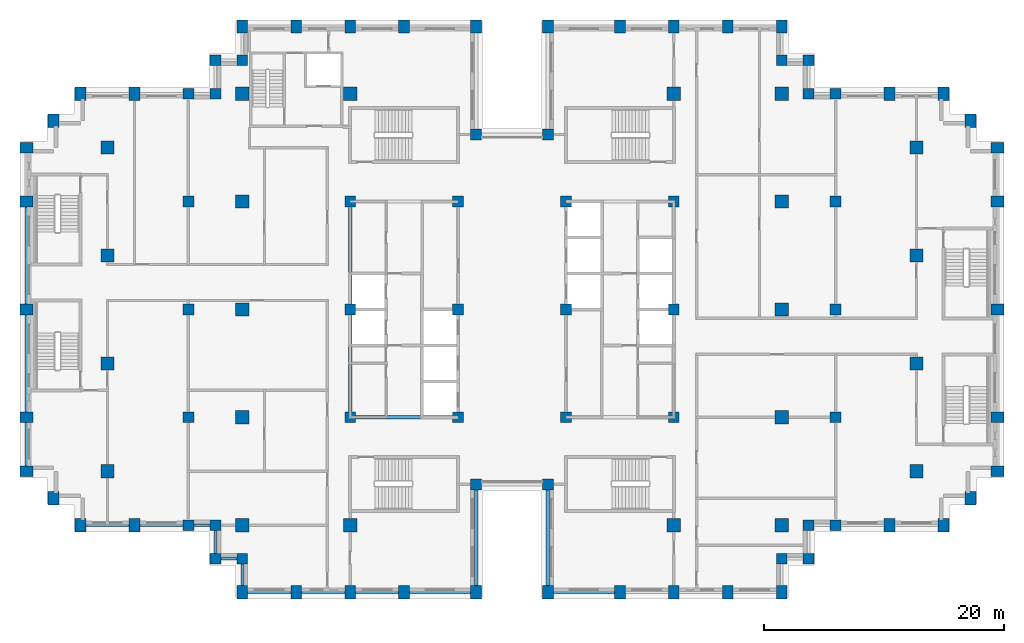
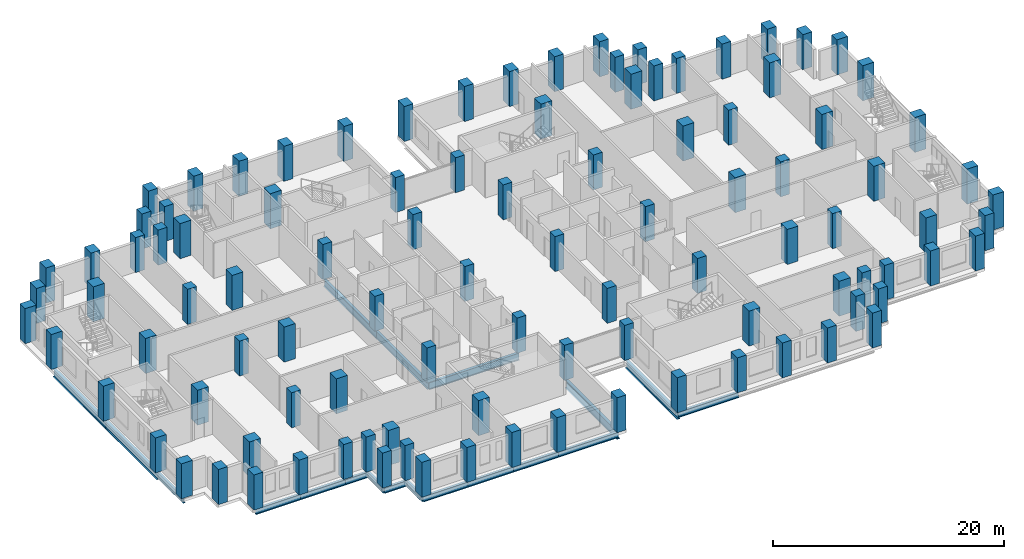
# One storey, part 1 of 15: 102 columns, 19 beams.
"""IFC4 building model written with IfcOpenShell, lengths in metres."""

from ifc_helpers import new_model, si_unit, direction, frame, origin, origin_2d, place, context, subcontext, project, spatial, rectangle, i_section, extrude, material, material_profile, profile_set, type_object, element, save


model = new_model("IFC4")

# Units and contexts
model_context = context("Model", 3, precision=1e-05, world=origin(), true_north=direction((0.0, 1.0)))
body_context = subcontext(model_context, "Body", "Model", "MODEL_VIEW")
ifc_project = project(units=[si_unit("LENGTHUNIT", "METRE"), si_unit("AREAUNIT", "SQUARE_METRE"), si_unit("VOLUMEUNIT", "CUBIC_METRE"), si_unit("PLANEANGLEUNIT", "RADIAN"), si_unit("MASSUNIT", "GRAM", prefix="KILO")], contexts=[model_context])

# Site, building, storey
site_placement = place(None, origin())
site = spatial("IfcSite", under=ifc_project, at=site_placement, CompositionType="ELEMENT")
building_placement = place(site_placement, origin())
building = spatial("IfcBuilding", under=site, at=building_placement, Name="Corbelhall Arena Tower", CompositionType="ELEMENT")
storey_placement = place(building_placement, frame((0.0, 0.0, 162.0)))
storey = spatial("IfcBuildingStorey", under=building, at=storey_placement, Name="L32", CompositionType="ELEMENT", Elevation=162.0)

# Columns
ifc_material_1 = material(Name="Concrete C80/95", Category="concrete")
ifc_material_profile_1 = material_profile(ifc_material_1, rectangle(XDim=1.10009765625, YDim=1.10009765625, at=origin_2d()))
ifc_profile_set_1 = profile_set([ifc_material_profile_1], Name="Concrete C80/95")
column_type_1 = type_object("IfcColumnType", Name="ST-COL-RC 1100x1100", PredefinedType="COLUMN", material=ifc_profile_set_1)
for number, where, z_axis, x_axis, name in (
    (1, (-33.75, 4.5, 0.0), (0.0, 0.0, 1.0), (1.0, 0.0, 0.0), "Column FIC+0450"),
    (2, (-33.75, 13.5, 0.0), (0.0, 0.0, 1.0), (1.0, 0.0, 0.0), "Column FIC+1350"),
    (3, (-33.75, -4.5, 0.0), (0.0, 0.0, 1.0), (1.0, 0.0, 0.0), "Column FIC-0450"),
    (4, (-33.75, -13.5, 0.0), (0.0, 0.0, 1.0), (1.0, 0.0, 0.0), "Column FIC-1350"),
    (5, (33.75, 4.5, 0.0), (0.0, 0.0, 1.0), (1.0, 0.0, 0.0), "Column FID+0450"),
    (6, (33.75, 13.5, 0.0), (0.0, 0.0, 1.0), (1.0, 0.0, 0.0), "Column FID+1350"),
    (7, (33.75, -4.5, 0.0), (0.0, 0.0, 1.0), (1.0, 0.0, 0.0), "Column FID-0450"),
    (8, (33.75, -13.5, 0.0), (0.0, 0.0, 1.0), (1.0, 0.0, 0.0), "Column FID-1350"),
    (9, (13.5, 18.0, 0.0), (0.0, 0.0, 1.0), (1.0, 0.0, 0.0), "Column IE13+1800"),
    (10, (13.5, -18.0, 0.0), (0.0, 0.0, 1.0), (1.0, 0.0, 0.0), "Column IE13-1800"),
    (11, (22.5, 0.0, 0.0), (0.0, 0.0, 1.0), (1.0, 0.0, 0.0), "Column IE22+0000"),
    (12, (22.5, 9.0, 0.0), (0.0, 0.0, 1.0), (1.0, 0.0, 0.0), "Column IE22+0900"),
    (13, (22.5, 18.0, 0.0), (0.0, 0.0, 1.0), (1.0, 0.0, 0.0), "Column IE22+1800"),
    (14, (22.5, -9.0, 0.0), (0.0, 0.0, 1.0), (1.0, 0.0, 0.0), "Column IE22-0900"),
    (15, (22.5, -18.0, 0.0), (0.0, 0.0, 1.0), (1.0, 0.0, 0.0), "Column IE22-1800"),
    (16, (-13.5, 18.0, 0.0), (0.0, 0.0, 1.0), (1.0, 0.0, 0.0), "Column IW13+1800"),
    (17, (-13.5, -18.0, 0.0), (0.0, 0.0, 1.0), (1.0, 0.0, 0.0), "Column IW13-1800"),
    (18, (-22.5, 0.0, 0.0), (0.0, 0.0, 1.0), (1.0, 0.0, 0.0), "Column IW22+0000"),
    (19, (-22.5, 9.0, 0.0), (0.0, 0.0, 1.0), (1.0, 0.0, 0.0), "Column IW22+0900"),
    (20, (-22.5, 18.0, 0.0), (0.0, 0.0, 1.0), (1.0, 0.0, 0.0), "Column IW22+1800"),
    (21, (-22.5, -9.0, 0.0), (0.0, 0.0, 1.0), (1.0, 0.0, 0.0), "Column IW22-0900"),
    (22, (-22.5, -18.0, 0.0), (0.0, 0.0, 1.0), (1.0, 0.0, 0.0), "Column IW22-1800"),
):
    element("IfcColumn", number, at=place(storey_placement, frame(where, z_axis=z_axis, x_axis=x_axis)), inside=storey, type_object=column_type_1, Name=name, PredefinedType="COLUMN", context=body_context, shape_type="SweptSolid", body=[
        extrude(rectangle(XDim=1.10009765625, YDim=1.10009765625, at=origin_2d()), origin(), (0.0, 0.0, 1.0), 3.699951171875),
    ])
ifc_material_profile_2 = material_profile(ifc_material_1, rectangle(XDim=0.89990234375, YDim=1.10009765625, at=origin_2d()))
ifc_profile_set_2 = profile_set([ifc_material_profile_2], Name="Concrete C80/95")
column_type_2 = type_object("IfcColumnType", Name="ST-COL-RC 900x1100", PredefinedType="COLUMN", material=ifc_profile_set_2)
for number, where, z_axis, x_axis, name in (
    (23, (-40.5, 0.0, 0.0), (0.0, 0.0, 1.0), (0.0, 1.0, 0.0), "Column FC+0000"),
    (24, (-40.5, 9.0, 0.0), (0.0, 0.0, 1.0), (0.0, 1.0, 0.0), "Column FC+0900"),
    (25, (-40.5, 13.5, 0.0), (0.0, 0.0, 1.0), (0.0, 1.0, 0.0), "Column FC+1350"),
    (26, (-40.5, -9.0, 0.0), (0.0, 0.0, 1.0), (0.0, 1.0, 0.0), "Column FC-0900"),
    (27, (-40.5, -13.5, 0.0), (0.0, 0.0, 1.0), (0.0, 1.0, 0.0), "Column FC-1350"),
    (28, (-38.25, 15.75, 0.0), (0.0, 0.0, 1.0), (1.0, 0.0, 0.0), "Column FCCN"),
    (29, (-38.25, -15.75, 0.0), (0.0, 0.0, 1.0), (1.0, 0.0, 0.0), "Column FCCS"),
    (30, (-31.5, 18.0, 0.0), (0.0, 0.0, 1.0), (1.0, 0.0, 0.0), "Column FCN3150"),
    (31, (-36.0, 18.0, 0.0), (0.0, 0.0, 1.0), (1.0, 0.0, 0.0), "Column FCN3600"),
    (32, (-31.5, -18.0, 0.0), (0.0, 0.0, 1.0), (1.0, 0.0, 0.0), "Column FCS3150"),
    (33, (-36.0, -18.0, 0.0), (0.0, 0.0, 1.0), (1.0, 0.0, 0.0), "Column FCS3600"),
    (34, (40.5, 0.0, 0.0), (0.0, 0.0, 1.0), (0.0, 1.0, 0.0), "Column FD+0000"),
    (35, (40.5, 9.0, 0.0), (0.0, 0.0, 1.0), (0.0, 1.0, 0.0), "Column FD+0900"),
    (36, (40.5, 13.5, 0.0), (0.0, 0.0, 1.0), (0.0, 1.0, 0.0), "Column FD+1350"),
    (37, (40.5, -9.0, 0.0), (0.0, 0.0, 1.0), (0.0, 1.0, 0.0), "Column FD-0900"),
    (38, (40.5, -13.5, 0.0), (0.0, 0.0, 1.0), (0.0, 1.0, 0.0), "Column FD-1350"),
    (39, (38.25, 15.75, 0.0), (0.0, 0.0, 1.0), (1.0, 0.0, 0.0), "Column FDCN"),
    (40, (38.25, -15.75, 0.0), (0.0, 0.0, 1.0), (1.0, 0.0, 0.0), "Column FDCS"),
    (41, (31.5, 18.0, 0.0), (0.0, 0.0, 1.0), (1.0, 0.0, 0.0), "Column FDN3150"),
    (42, (36.0, 18.0, 0.0), (0.0, 0.0, 1.0), (1.0, 0.0, 0.0), "Column FDN3600"),
    (43, (31.5, -18.0, 0.0), (0.0, 0.0, 1.0), (1.0, 0.0, 0.0), "Column FDS3150"),
    (44, (36.0, -18.0, 0.0), (0.0, 0.0, 1.0), (1.0, 0.0, 0.0), "Column FDS3600"),
    (45, (3.0, 23.60009765625, 0.0), (0.0, 0.0, 1.0), (1.0, 0.0, 0.0), "Column PNE0300"),
    (46, (9.0, 23.60009765625, 0.0), (0.0, 0.0, 1.0), (1.0, 0.0, 0.0), "Column PNE0900"),
    (47, (13.5, 23.60009765625, 0.0), (0.0, 0.0, 1.0), (1.0, 0.0, 0.0), "Column PNE1350"),
    (48, (18.0, 23.60009765625, 0.0), (0.0, 0.0, 1.0), (1.0, 0.0, 0.0), "Column PNE1800"),
    (49, (22.5, 23.60009765625, 0.0), (0.0, 0.0, 1.0), (1.0, 0.0, 0.0), "Column PNE2250"),
    (50, (-3.0, 23.60009765625, 0.0), (0.0, 0.0, 1.0), (1.0, 0.0, 0.0), "Column PNW0300"),
    (51, (-9.0, 23.60009765625, 0.0), (0.0, 0.0, 1.0), (1.0, 0.0, 0.0), "Column PNW0900"),
    (52, (-13.5, 23.60009765625, 0.0), (0.0, 0.0, 1.0), (1.0, 0.0, 0.0), "Column PNW1350"),
    (53, (-18.0, 23.60009765625, 0.0), (0.0, 0.0, 1.0), (1.0, 0.0, 0.0), "Column PNW1800"),
    (54, (-22.5, 23.60009765625, 0.0), (0.0, 0.0, 1.0), (1.0, 0.0, 0.0), "Column PNW2250"),
    (55, (3.0, -23.60009765625, 0.0), (0.0, 0.0, 1.0), (1.0, 0.0, 0.0), "Column PSE0300"),
    (56, (9.0, -23.60009765625, 0.0), (0.0, 0.0, 1.0), (1.0, 0.0, 0.0), "Column PSE0900"),
    (57, (13.5, -23.60009765625, 0.0), (0.0, 0.0, 1.0), (1.0, 0.0, 0.0), "Column PSE1350"),
    (58, (18.0, -23.60009765625, 0.0), (0.0, 0.0, 1.0), (1.0, 0.0, 0.0), "Column PSE1800"),
    (59, (22.5, -23.60009765625, 0.0), (0.0, 0.0, 1.0), (1.0, 0.0, 0.0), "Column PSE2250"),
    (60, (-3.0, -23.60009765625, 0.0), (0.0, 0.0, 1.0), (1.0, 0.0, 0.0), "Column PSW0300"),
    (61, (-9.0, -23.60009765625, 0.0), (0.0, 0.0, 1.0), (1.0, 0.0, 0.0), "Column PSW0900"),
    (62, (-13.5, -23.60009765625, 0.0), (0.0, 0.0, 1.0), (1.0, 0.0, 0.0), "Column PSW1350"),
    (63, (-18.0, -23.60009765625, 0.0), (0.0, 0.0, 1.0), (1.0, 0.0, 0.0), "Column PSW1800"),
    (64, (-22.5, -23.60009765625, 0.0), (0.0, 0.0, 1.0), (1.0, 0.0, 0.0), "Column PSW2250"),
):
    element("IfcColumn", number, at=place(storey_placement, frame(where, z_axis=z_axis, x_axis=x_axis)), inside=storey, type_object=column_type_2, Name=name, PredefinedType="COLUMN", context=body_context, shape_type="SweptSolid", body=[
        extrude(rectangle(XDim=0.89990234375, YDim=1.10009765625, at=origin_2d()), origin(), (0.0, 0.0, 1.0), 3.699951171875),
    ])
ifc_material_profile_3 = material_profile(ifc_material_1, rectangle(XDim=0.89990234375, YDim=0.89990234375, at=origin_2d()))
ifc_profile_set_3 = profile_set([ifc_material_profile_3], Name="Concrete C80/95")
column_type_3 = type_object("IfcColumnType", Name="ST-COL-RC 900x900", PredefinedType="COLUMN", material=ifc_profile_set_3)
for number, where, z_axis, x_axis, name in (
    (65, (4.5, 0.0, 0.0), (0.0, 0.0, 1.0), (1.0, 0.0, 0.0), "Column KE+0450+0000"),
    (66, (4.5, 9.0, 0.0), (0.0, 0.0, 1.0), (1.0, 0.0, 0.0), "Column KE+0450+0900"),
    (67, (4.5, -9.0, 0.0), (0.0, 0.0, 1.0), (1.0, 0.0, 0.0), "Column KE+0450-0900"),
    (68, (13.5, 0.0, 0.0), (0.0, 0.0, 1.0), (1.0, 0.0, 0.0), "Column KE+1350+0000"),
    (69, (13.5, 9.0, 0.0), (0.0, 0.0, 1.0), (1.0, 0.0, 0.0), "Column KE+1350+0900"),
    (70, (13.5, -9.0, 0.0), (0.0, 0.0, 1.0), (1.0, 0.0, 0.0), "Column KE+1350-0900"),
    (71, (-4.5, 0.0, 0.0), (0.0, 0.0, 1.0), (1.0, 0.0, 0.0), "Column KW-0450+0000"),
    (72, (-4.5, 9.0, 0.0), (0.0, 0.0, 1.0), (1.0, 0.0, 0.0), "Column KW-0450+0900"),
    (73, (-4.5, -9.0, 0.0), (0.0, 0.0, 1.0), (1.0, 0.0, 0.0), "Column KW-0450-0900"),
    (74, (-13.5, 0.0, 0.0), (0.0, 0.0, 1.0), (1.0, 0.0, 0.0), "Column KW-1350+0000"),
    (75, (-13.5, 9.0, 0.0), (0.0, 0.0, 1.0), (1.0, 0.0, 0.0), "Column KW-1350+0900"),
    (76, (-13.5, -9.0, 0.0), (0.0, 0.0, 1.0), (1.0, 0.0, 0.0), "Column KW-1350-0900"),
    (77, (27.0, 0.0, 0.0), (0.0, 0.0, 1.0), (1.0, 0.0, 0.0), "Column PE+0000"),
    (78, (27.0, 9.0, 0.0), (0.0, 0.0, 1.0), (1.0, 0.0, 0.0), "Column PE+0900"),
    (79, (27.0, 18.0, 0.0), (0.0, 0.0, 1.0), (1.0, 0.0, 0.0), "Column PE+1800"),
    (80, (27.0, -9.0, 0.0), (0.0, 0.0, 1.0), (1.0, 0.0, 0.0), "Column PE-0900"),
    (81, (27.0, -18.0, 0.0), (0.0, 0.0, 1.0), (1.0, 0.0, 0.0), "Column PE-1800"),
    (82, (-27.0, 0.0, 0.0), (0.0, 0.0, 1.0), (1.0, 0.0, 0.0), "Column PW+0000"),
    (83, (-27.0, 9.0, 0.0), (0.0, 0.0, 1.0), (1.0, 0.0, 0.0), "Column PW+0900"),
    (84, (-27.0, 18.0, 0.0), (0.0, 0.0, 1.0), (1.0, 0.0, 0.0), "Column PW+1800"),
    (85, (-27.0, -9.0, 0.0), (0.0, 0.0, 1.0), (1.0, 0.0, 0.0), "Column PW-0900"),
    (86, (-27.0, -18.0, 0.0), (0.0, 0.0, 1.0), (1.0, 0.0, 0.0), "Column PW-1800"),
    (87, (3.0, 14.60009765625, 0.0), (0.0, 0.0, 1.0), (1.0, 0.0, 0.0), "Column SLNE2"),
    (88, (-3.0, 14.60009765625, 0.0), (0.0, 0.0, 1.0), (1.0, 0.0, 0.0), "Column SLNW2"),
    (89, (3.0, -14.60009765625, 0.0), (0.0, 0.0, 1.0), (1.0, 0.0, 0.0), "Column SLSE2"),
    (90, (-3.0, -14.60009765625, 0.0), (0.0, 0.0, 1.0), (1.0, 0.0, 0.0), "Column SLSW2"),
    (91, (22.5, 20.800048828125, 0.0), (0.0, 0.0, 1.0), (1.0, 0.0, 0.0), "Column XNE1"),
    (92, (24.75, 20.800048828125, 0.0), (0.0, 0.0, 1.0), (1.0, 0.0, 0.0), "Column XNE2"),
    (93, (24.75, 18.0, 0.0), (0.0, 0.0, 1.0), (1.0, 0.0, 0.0), "Column XNE3"),
    (94, (-22.5, 20.800048828125, 0.0), (0.0, 0.0, 1.0), (1.0, 0.0, 0.0), "Column XNW1"),
    (95, (-24.75, 20.800048828125, 0.0), (0.0, 0.0, 1.0), (1.0, 0.0, 0.0), "Column XNW2"),
    (96, (-24.75, 18.0, 0.0), (0.0, 0.0, 1.0), (1.0, 0.0, 0.0), "Column XNW3"),
    (97, (22.5, -20.800048828125, 0.0), (0.0, 0.0, 1.0), (1.0, 0.0, 0.0), "Column XSE1"),
    (98, (24.75, -20.800048828125, 0.0), (0.0, 0.0, 1.0), (1.0, 0.0, 0.0), "Column XSE2"),
    (99, (24.75, -18.0, 0.0), (0.0, 0.0, 1.0), (1.0, 0.0, 0.0), "Column XSE3"),
    (100, (-22.5, -20.800048828125, 0.0), (0.0, 0.0, 1.0), (1.0, 0.0, 0.0), "Column XSW1"),
    (101, (-24.75, -20.800048828125, 0.0), (0.0, 0.0, 1.0), (1.0, 0.0, 0.0), "Column XSW2"),
    (102, (-24.75, -18.0, 0.0), (0.0, 0.0, 1.0), (1.0, 0.0, 0.0), "Column XSW3"),
):
    element("IfcColumn", number, at=place(storey_placement, frame(where, z_axis=z_axis, x_axis=x_axis)), inside=storey, type_object=column_type_3, Name=name, PredefinedType="COLUMN", context=body_context, shape_type="SweptSolid", body=[
        extrude(rectangle(XDim=0.89990234375, YDim=0.89990234375, at=origin_2d()), origin(), (0.0, 0.0, 1.0), 3.699951171875),
    ])

# Beams
ifc_material_2 = material(Name="Steel ASTM A992 Gr50", Category="steel")
ifc_material_profile_4 = material_profile(ifc_material_2, i_section(OverallWidth=0.2666015625, OverallDepth=0.761962890625, WebThickness=0.014404296875, FlangeThickness=0.021484375, at=origin_2d()))
ifc_profile_set_4 = profile_set([ifc_material_profile_4], Name="Steel ASTM A992 Gr50")
beam_type_1 = type_object("IfcBeamType", Name="ST-BEAM-W30x116", PredefinedType="BEAM", material=ifc_profile_set_4)
for number, where, z_axis, x_axis, name in (
    (103, (-13.5, -9.0, -0.680908203125), (0.0, 1.0, 0.0), (-1.0, 0.0, 0.0), "Beam CEW 1"),
    (104, (-13.5, 0.0, -0.680908203125), (0.0, 1.0, 0.0), (-1.0, 0.0, 0.0), "Beam CEW 2"),
    (105, (-13.5, -9.0, -0.680908203125), (1.0, 0.0, 0.0), (0.0, 1.0, 0.0), "Beam CEW 5"),
):
    element("IfcBeam", number, at=place(storey_placement, frame(where, z_axis=z_axis, x_axis=x_axis)), inside=storey, type_object=beam_type_1, Name=name, PredefinedType="BEAM", context=body_context, shape_type="SweptSolid", body=[
        extrude(i_section(OverallWidth=0.2666015625, OverallDepth=0.761962890625, WebThickness=0.014404296875, FlangeThickness=0.021484375, at=origin_2d()), origin(), (0.0, 0.0, 1.0), 9.0),
    ])
ifc_material_profile_5 = material_profile(ifc_material_2, i_section(OverallWidth=0.22900390625, OverallDepth=0.612060546875, WebThickness=0.011962890625, FlangeThickness=0.01953125, at=origin_2d()))
ifc_profile_set_5 = profile_set([ifc_material_profile_5], Name="Steel ASTM A992 Gr50")
beam_type_2 = type_object("IfcBeamType", Name="ST-SPANDREL-W24x84", PredefinedType="SPANDREL", material=ifc_profile_set_5)
for number, where, z_axis, x_axis, name in (
    (106, (-40.5, -13.5, -0.60595703125), (0.0, 1.0, 0.0), (-1.0, 0.0, 0.0), "Beam SP 4"),
    (107, (-31.5, -18.0, -0.60595703125), (-1.0, 0.0, 0.0), (0.0, -1.0, 0.0), "Beam SP 7"),
):
    element("IfcBeam", number, at=place(storey_placement, frame(where, z_axis=z_axis, x_axis=x_axis)), inside=storey, type_object=beam_type_2, Name=name, PredefinedType="SPANDREL", context=body_context, shape_type="SweptSolid", body=[
        extrude(i_section(OverallWidth=0.22900390625, OverallDepth=0.612060546875, WebThickness=0.011962890625, FlangeThickness=0.01953125, at=origin_2d()), origin(), (0.0, 0.0, 1.0), 4.5),
    ])
for number, where, z_axis, x_axis, name in (
    (108, (9.0, -23.60009765625, -0.60595703125), (-1.0, 0.0, 0.0), (0.0, -1.0, 0.0), "Beam SP 28"),
    (109, (-3.0, -23.60009765625, -0.60595703125), (-1.0, 0.0, 0.0), (0.0, -1.0, 0.0), "Beam SP 32"),
):
    element("IfcBeam", number, at=place(storey_placement, frame(where, z_axis=z_axis, x_axis=x_axis)), inside=storey, type_object=beam_type_2, Name=name, PredefinedType="SPANDREL", context=body_context, shape_type="SweptSolid", body=[
        extrude(i_section(OverallWidth=0.22900390625, OverallDepth=0.612060546875, WebThickness=0.011962890625, FlangeThickness=0.01953125, at=origin_2d()), origin(), (0.0, 0.0, 1.0), 6.0),
    ])
for number, where, z_axis, x_axis, name in (
    (110, (-9.0, -23.60009765625, -0.60595703125), (-1.0, 0.0, 0.0), (0.0, -1.0, 0.0), "Beam SP 33"),
    (111, (-13.5, -23.60009765625, -0.60595703125), (-1.0, 0.0, 0.0), (0.0, -1.0, 0.0), "Beam SP 34"),
    (112, (-18.0, -23.60009765625, -0.60595703125), (-1.0, 0.0, 0.0), (0.0, -1.0, 0.0), "Beam SP 35"),
):
    element("IfcBeam", number, at=place(storey_placement, frame(where, z_axis=z_axis, x_axis=x_axis)), inside=storey, type_object=beam_type_2, Name=name, PredefinedType="SPANDREL", context=body_context, shape_type="SweptSolid", body=[
        extrude(i_section(OverallWidth=0.22900390625, OverallDepth=0.612060546875, WebThickness=0.011962890625, FlangeThickness=0.01953125, at=origin_2d()), origin(), (0.0, 0.0, 1.0), 4.5),
    ])
beam_1_placement = place(storey_placement, frame((-22.5, -23.60009765625, -0.60595703125), z_axis=(0.0, 1.0, 0.0), x_axis=(-1.0, 0.0, 0.0)))
element("IfcBeam", 113, at=beam_1_placement, inside=storey, type_object=beam_type_2, Name="Beam SP 36", PredefinedType="SPANDREL", context=body_context, shape_type="SweptSolid", body=[
    extrude(i_section(OverallWidth=0.22900390625, OverallDepth=0.612060546875, WebThickness=0.011962890625, FlangeThickness=0.01953125, at=origin_2d()), origin(), (0.0, 0.0, 1.0), 2.800048828125),
])
beam_2_placement = place(storey_placement, frame((-27.0, -18.0, -0.60595703125), z_axis=(-1.0, 0.0, 0.0), x_axis=(0.0, -1.0, 0.0)))
element("IfcBeam", 114, at=beam_2_placement, inside=storey, type_object=beam_type_2, Name="Beam SP 38", PredefinedType="SPANDREL", context=body_context, shape_type="SweptSolid", body=[
    extrude(i_section(OverallWidth=0.22900390625, OverallDepth=0.612060546875, WebThickness=0.011962890625, FlangeThickness=0.01953125, at=origin_2d()), origin(), (0.0, 0.0, 1.0), 4.5),
])
beam_3_placement = place(storey_placement, frame((-22.5, -20.800048828125, -0.60595703125), z_axis=(-1.0, 0.0, 0.0), x_axis=(0.0, -1.0, 0.0)))
element("IfcBeam", 115, at=beam_3_placement, inside=storey, type_object=beam_type_2, Name="Beam SP 52", PredefinedType="SPANDREL", context=body_context, shape_type="SweptSolid", body=[
    extrude(i_section(OverallWidth=0.22900390625, OverallDepth=0.612060546875, WebThickness=0.011962890625, FlangeThickness=0.01953125, at=origin_2d()), origin(), (0.0, 0.0, 1.0), 2.25),
])
beam_4_placement = place(storey_placement, frame((-24.75, -20.800048828125, -0.60595703125), z_axis=(0.0, 1.0, 0.0), x_axis=(-1.0, 0.0, 0.0)))
element("IfcBeam", 116, at=beam_4_placement, inside=storey, type_object=beam_type_2, Name="Beam SP 53", PredefinedType="SPANDREL", context=body_context, shape_type="SweptSolid", body=[
    extrude(i_section(OverallWidth=0.22900390625, OverallDepth=0.612060546875, WebThickness=0.011962890625, FlangeThickness=0.01953125, at=origin_2d()), origin(), (0.0, 0.0, 1.0), 2.800048828125),
])
beam_5_placement = place(storey_placement, frame((-24.75, -18.0, -0.60595703125), z_axis=(-1.0, 0.0, 0.0), x_axis=(0.0, -1.0, 0.0)))
element("IfcBeam", 117, at=beam_5_placement, inside=storey, type_object=beam_type_2, Name="Beam SP 54", PredefinedType="SPANDREL", context=body_context, shape_type="SweptSolid", body=[
    extrude(i_section(OverallWidth=0.22900390625, OverallDepth=0.612060546875, WebThickness=0.011962890625, FlangeThickness=0.01953125, at=origin_2d()), origin(), (0.0, 0.0, 1.0), 2.25),
])
ifc_material_profile_6 = material_profile(ifc_material_2, i_section(OverallWidth=0.2919921875, OverallDepth=0.845703125, WebThickness=0.015380859375, FlangeThickness=0.0244140625, at=origin_2d()))
ifc_profile_set_6 = profile_set([ifc_material_profile_6], Name="Steel ASTM A992 Gr50")
beam_type_3 = type_object("IfcBeamType", Name="ST-SPANDREL-W33x141", PredefinedType="SPANDREL", material=ifc_profile_set_6)
for number, where, z_axis, x_axis, name in (
    (118, (-40.5, 0.0, -0.722900390625), (0.0, 1.0, 0.0), (-1.0, 0.0, 0.0), "Beam SP 1"),
    (119, (-40.5, -9.0, -0.722900390625), (0.0, 1.0, 0.0), (-1.0, 0.0, 0.0), "Beam SP 3"),
    (120, (3.0, -23.60009765625, -0.722900390625), (0.0, 1.0, 0.0), (-1.0, 0.0, 0.0), "Beam SP 27"),
    (121, (-3.0, -14.60009765625, -0.722900390625), (0.0, -1.0, 0.0), (1.0, 0.0, 0.0), "Beam SP 42"),
):
    element("IfcBeam", number, at=place(storey_placement, frame(where, z_axis=z_axis, x_axis=x_axis)), inside=storey, type_object=beam_type_3, Name=name, PredefinedType="SPANDREL", context=body_context, shape_type="SweptSolid", body=[
        extrude(i_section(OverallWidth=0.2919921875, OverallDepth=0.845703125, WebThickness=0.015380859375, FlangeThickness=0.0244140625, at=origin_2d()), origin(), (0.0, 0.0, 1.0), 9.0),
    ])

save(model, "model.ifc")
